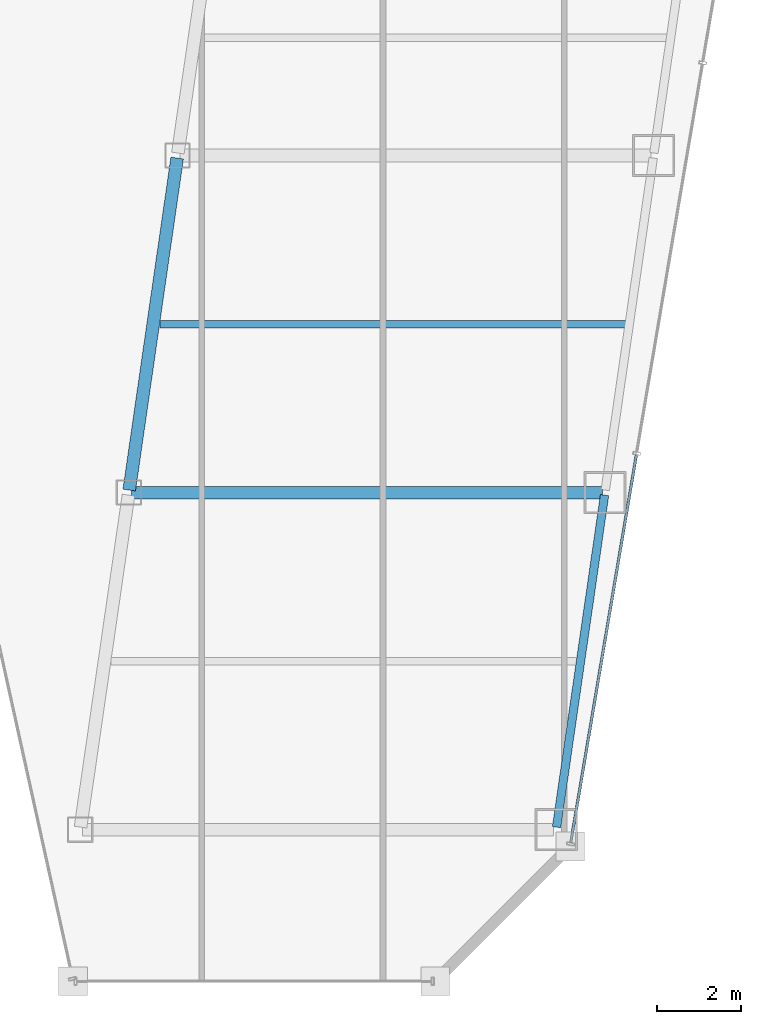
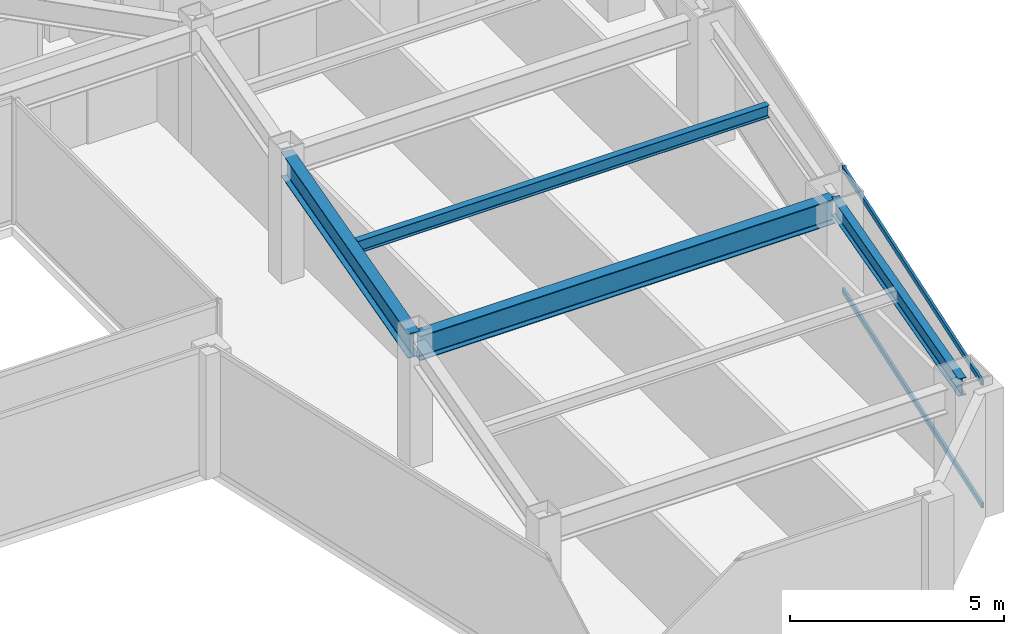
# One storey, part 18 of 35: 4 beams, 2 members, 1 element without a shape of its own.
"""IFC4 building model written with IfcOpenShell, lengths in metres."""

from ifc_helpers import new_model, si_unit, direction, frame, origin, origin_2d, place, context, subcontext, project, spatial, hollow_rectangle, i_section, extrude, material, material_profile, profile_set, type_object, element, aggregate, save


model = new_model("IFC4")

# Units and contexts
model_context = context("Model", 3, precision=1e-05, world=origin(), true_north=direction((0.0, 1.0)))
body_context = subcontext(model_context, "Body", "Model", "MODEL_VIEW")
ifc_project = project(units=[si_unit("LENGTHUNIT", "METRE"), si_unit("AREAUNIT", "SQUARE_METRE"), si_unit("VOLUMEUNIT", "CUBIC_METRE"), si_unit("PLANEANGLEUNIT", "RADIAN"), si_unit("MASSUNIT", "GRAM", prefix="KILO")], contexts=[model_context])

# Site, building, storey
site_placement = place(None, origin())
site = spatial("IfcSite", under=ifc_project, at=site_placement, CompositionType="ELEMENT")
building_placement = place(site_placement, origin())
building = spatial("IfcBuilding", under=site, at=building_placement, Name="Saevonmaru Cultural Tower", CompositionType="ELEMENT")
storey_placement = place(building_placement, frame((0.0, 0.0, 175.199951171875)))
storey = spatial("IfcBuildingStorey", under=building, at=storey_placement, Name="L39", CompositionType="ELEMENT", Elevation=175.199951171875)

# Beams
ifc_material_1 = material(Name="Steel SM355", Category="steel")
ifc_material_profile_1 = material_profile(ifc_material_1, i_section(OverallWidth=0.300048828125, OverallDepth=0.699951171875, WebThickness=0.012939453125, FlangeThickness=0.02392578125, FilletRadius=0.02587890625, at=origin_2d()), Name="H-700x300x13x24")
ifc_profile_set_1 = profile_set([ifc_material_profile_1], Name="Steel SM355")
beam_type_1 = type_object("IfcBeamType", Name="BM-G-H700", PredefinedType="BEAM", material=ifc_profile_set_1)
beam_1_placement = place(storey_placement, frame((39.236572265625, 24.059326171875, 3.199951171875), z_axis=(0.142902032203, 0.989736838353, 0.0), x_axis=(-0.989736838353, 0.142902032203, 0.0)))
element("IfcBeam", 1, at=beam_1_placement, inside=storey, type_object=beam_type_1, Name="L39 East Atrium Girder 2", PredefinedType="BEAM", context=body_context, shape_type="SweptSolid", body=[
    extrude(i_section(OverallWidth=0.300048828125, OverallDepth=0.699951171875, WebThickness=0.012939453125, FlangeThickness=0.02392578125, FilletRadius=0.02587890625, at=origin_2d()), origin(), (0.0, 0.0, 1.0), 7.963134765625),
])
beam_2_placement = place(storey_placement, frame((39.2880859375, 24.0, 3.199951171875), z_axis=(1.0, 0.0, 0.0), x_axis=(0.0, 1.0, 0.0)))
element("IfcBeam", 2, at=beam_2_placement, inside=storey, type_object=beam_type_1, Name="L39 East Wing Transverse Girder 2", PredefinedType="BEAM", context=body_context, shape_type="SweptSolid", body=[
    extrude(i_section(OverallWidth=0.300048828125, OverallDepth=0.699951171875, WebThickness=0.012939453125, FlangeThickness=0.02392578125, FilletRadius=0.02587890625, at=origin_2d()), origin(), (0.0, 0.0, 1.0), 11.179931640625),
])
ifc_material_profile_2 = material_profile(ifc_material_1, i_section(OverallWidth=0.175048828125, OverallDepth=0.35009765625, WebThickness=0.007080078125, FlangeThickness=0.010986328125, FilletRadius=0.012939453125, at=origin_2d()), Name="H-350x175x7x11")
ifc_profile_set_2 = profile_set([ifc_material_profile_2], Name="Steel SM355")
beam_type_2 = type_object("IfcBeamType", Name="BM-J-H350", PredefinedType="JOIST", material=ifc_profile_set_2)
beam_3_placement = place(storey_placement, frame((39.96337890625, 28.0, 3.375), z_axis=(1.0, 0.0, 0.0), x_axis=(0.0, 1.0, 0.0)))
element("IfcBeam", 3, at=beam_3_placement, inside=storey, type_object=beam_type_2, Name="L39 East Wing Floor Joist 2", PredefinedType="JOIST", context=body_context, shape_type="SweptSolid", body=[
    extrude(i_section(OverallWidth=0.175048828125, OverallDepth=0.35009765625, WebThickness=0.007080078125, FlangeThickness=0.010986328125, FilletRadius=0.012939453125, at=origin_2d()), origin(), (0.0, 0.0, 1.0), 11.08203125),
])
ifc_material_profile_3 = material_profile(ifc_material_1, i_section(OverallWidth=0.199951171875, OverallDepth=0.5, WebThickness=0.010009765625, FlangeThickness=0.01611328125, FilletRadius=0.02001953125, at=origin_2d()), Name="H-500x200x10x16")
ifc_profile_set_3 = profile_set([ifc_material_profile_3], Name="Steel SM355")
beam_type_3 = type_object("IfcBeamType", Name="BM-SP-H500", PredefinedType="SPANDREL", material=ifc_profile_set_3)
beam_4_placement = place(storey_placement, frame((49.380615234375, 16.059326171875, 3.300048828125), z_axis=(0.142992129437, 0.989723825579, 0.0), x_axis=(-0.989723825579, 0.142992129437, 0.0)))
element("IfcBeam", 4, at=beam_4_placement, inside=storey, type_object=beam_type_3, Name="L39 East Splayed Spandrel 1", PredefinedType="SPANDREL", context=body_context, shape_type="SweptSolid", body=[
    extrude(i_section(OverallWidth=0.199951171875, OverallDepth=0.5, WebThickness=0.010009765625, FlangeThickness=0.01611328125, FilletRadius=0.02001953125, at=origin_2d()), origin(), (0.0, 0.0, 1.0), 7.963134765625),
])

# Curtain wall, members
ifc_material_2 = material(Name="Satin Bronze Anodised Aluminium", Category="aluminium")
curtain_wall_type = type_object("IfcCurtainWallType", Name="CW-TYP-B", PredefinedType="NOTDEFINED", material=ifc_material_2)
curtain_wall_placement = place(storey_placement, origin())
curtain_wall = element("IfcCurtainWall", 5, at=curtain_wall_placement, inside=storey, type_object=curtain_wall_type, Name="L39 Unitised Curtain Wall E8", PredefinedType="NOTDEFINED")
ifc_material_profile_4 = material_profile(ifc_material_2, hollow_rectangle(XDim=0.06494140625, YDim=0.14990234375, WallThickness=0.00390625, at=origin_2d()), Name="ALU-TRAN-150x65x4")
ifc_profile_set_4 = profile_set([ifc_material_profile_4], Name="Satin Bronze Anodised Aluminium")
member_type = type_object("IfcMemberType", Name="TR-CW-150x65", PredefinedType="USERDEFINED", material=ifc_profile_set_4)
member_1_placement = place(storey_placement, frame((49.717529296875, 15.691162109375, 0.032470703125), z_axis=(0.166921263871, 0.985970228591, 0.0), x_axis=(-0.985970228591, 0.166921263871, 0.0)))
member_1 = element("IfcMember", 6, at=member_1_placement, type_object=member_type, Name="CW-TW-L39-E8 transom 1.1", ObjectType="TRANSOM", PredefinedType="USERDEFINED", context=body_context, shape_type="SweptSolid", body=[
    extrude(hollow_rectangle(XDim=0.06494140625, YDim=0.14990234375, WallThickness=0.00390625, at=origin_2d()), origin(), (0.0, 0.0, 1.0), 9.33740234375),
])
member_2_placement = place(storey_placement, frame((49.717529296875, 15.691162109375, 3.517578125), z_axis=(0.166921263871, 0.985970228591, 0.0), x_axis=(-0.985970228591, 0.166921263871, 0.0)))
member_2 = element("IfcMember", 7, at=member_2_placement, type_object=member_type, Name="CW-TW-L39-E8 transom 1.2", ObjectType="TRANSOM", PredefinedType="USERDEFINED", context=body_context, shape_type="SweptSolid", body=[
    extrude(hollow_rectangle(XDim=0.06494140625, YDim=0.14990234375, WallThickness=0.00390625, at=origin_2d()), origin(), (0.0, 0.0, 1.0), 9.33740234375),
])
aggregate(curtain_wall, [member_1, member_2])

save(model, "model.ifc")
